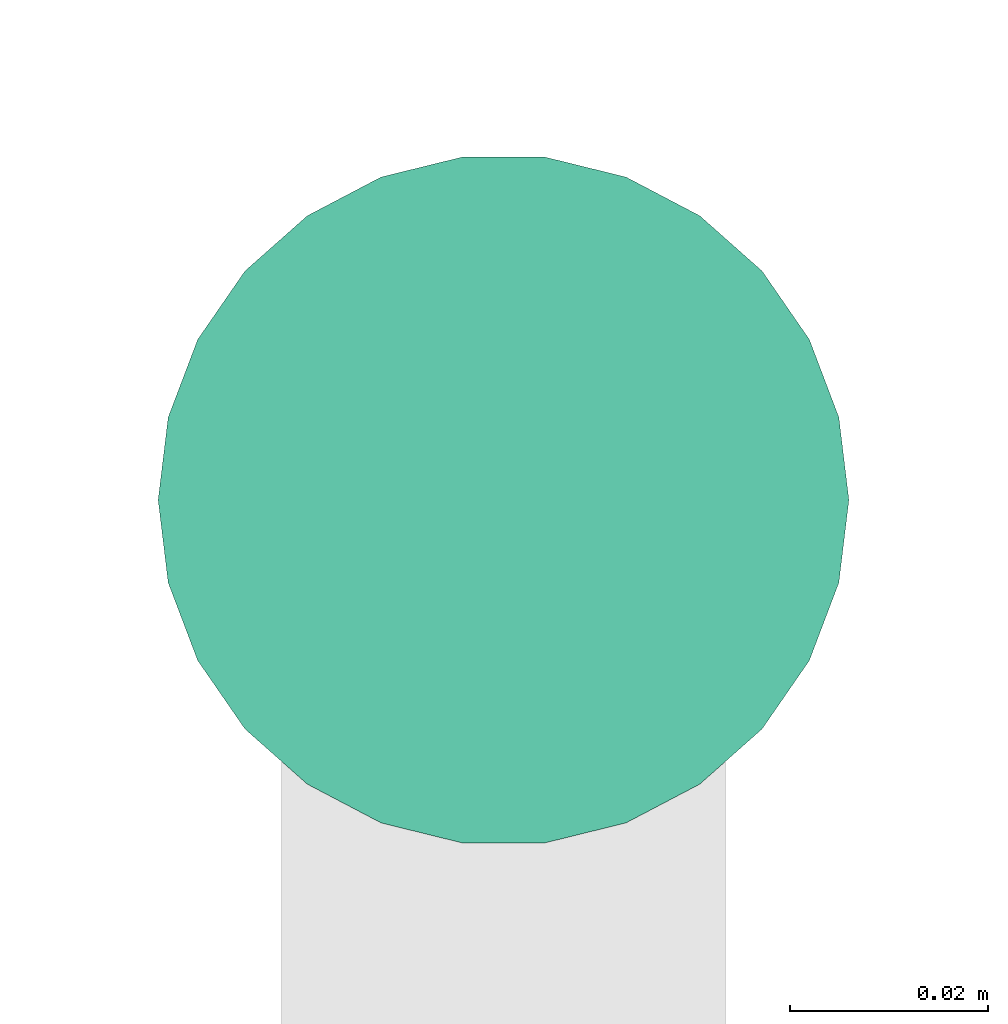
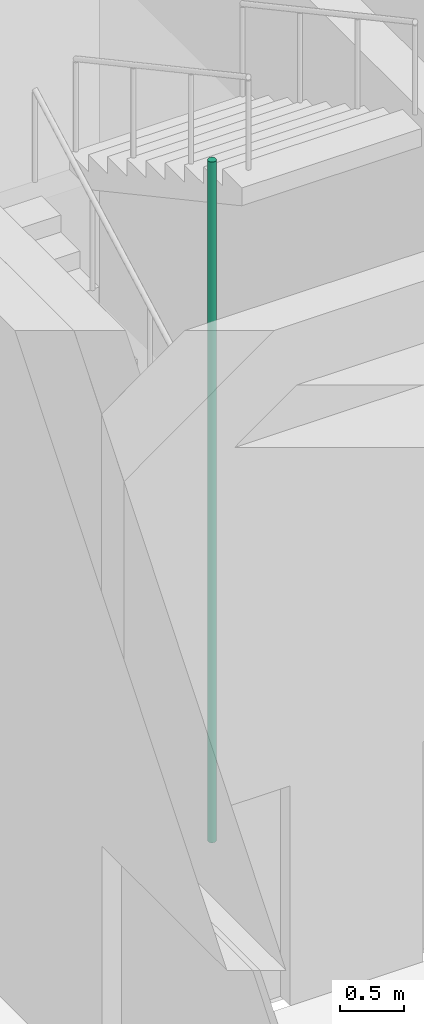
# One storey, part 37 of 45: 1 pipe segment.
"""IFC4 building model written with IfcOpenShell, lengths in metres."""

from ifc_helpers import new_model, si_unit, direction, frame, origin, origin_2d, place, context, subcontext, project, spatial, circle, extrude, element, save


model = new_model("IFC4")

# Units and contexts
model_context = context("Model", 3, precision=1e-05, world=origin(), true_north=direction((0.0, 1.0)))
body_context = subcontext(model_context, "Body", "Model", "MODEL_VIEW")
ifc_project = project(units=[si_unit("LENGTHUNIT", "METRE"), si_unit("AREAUNIT", "SQUARE_METRE"), si_unit("VOLUMEUNIT", "CUBIC_METRE"), si_unit("PLANEANGLEUNIT", "RADIAN"), si_unit("MASSUNIT", "GRAM", prefix="KILO")], contexts=[model_context])

# Site, building, storey
site_placement = place(None, origin())
site = spatial("IfcSite", under=ifc_project, at=site_placement, CompositionType="ELEMENT")
building_placement = place(site_placement, origin())
building = spatial("IfcBuilding", under=site, at=building_placement, Name="Nzadi Deep Aquarium and Research Tower", CompositionType="ELEMENT")
storey_placement = place(building_placement, origin())
storey = spatial("IfcBuildingStorey", under=building, at=storey_placement, Name="G", CompositionType="ELEMENT", Elevation=0.0)

# Pipe segment
pipe_segment_placement = place(storey_placement, frame((2.300048828125, 116.360107421875, 0.0), z_axis=(0.0, 0.0, 1.0), x_axis=(1.0, 0.0, 0.0)))
element("IfcPipeSegment", 1, at=pipe_segment_placement, inside=storey, Name="Dry riser ST-Z3-W G", PredefinedType="RIGIDSEGMENT", context=body_context, shape_type="SweptSolid", body=[
    extrude(circle(Radius=0.034912109375, at=origin_2d()), origin(), (0.0, 0.0, 1.0), 6.5),
])

save(model, "model.ifc")
